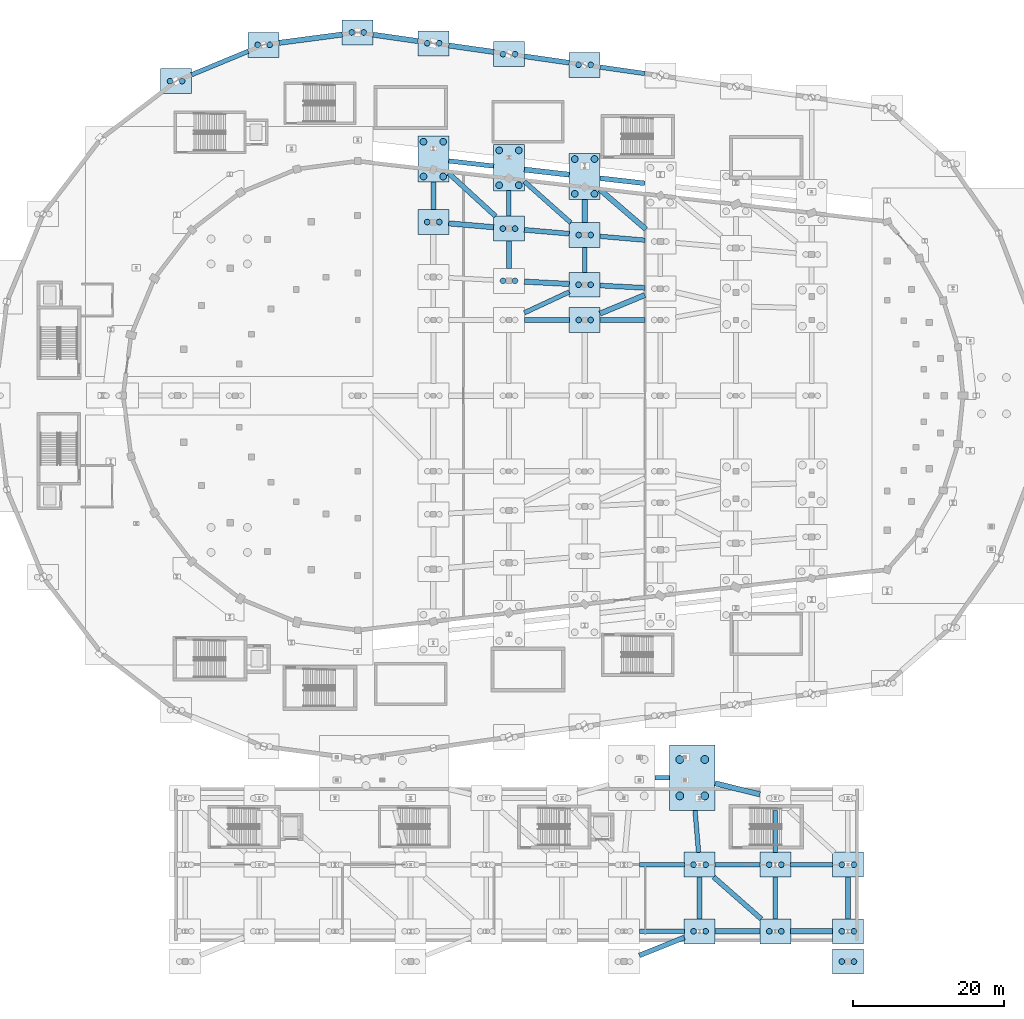
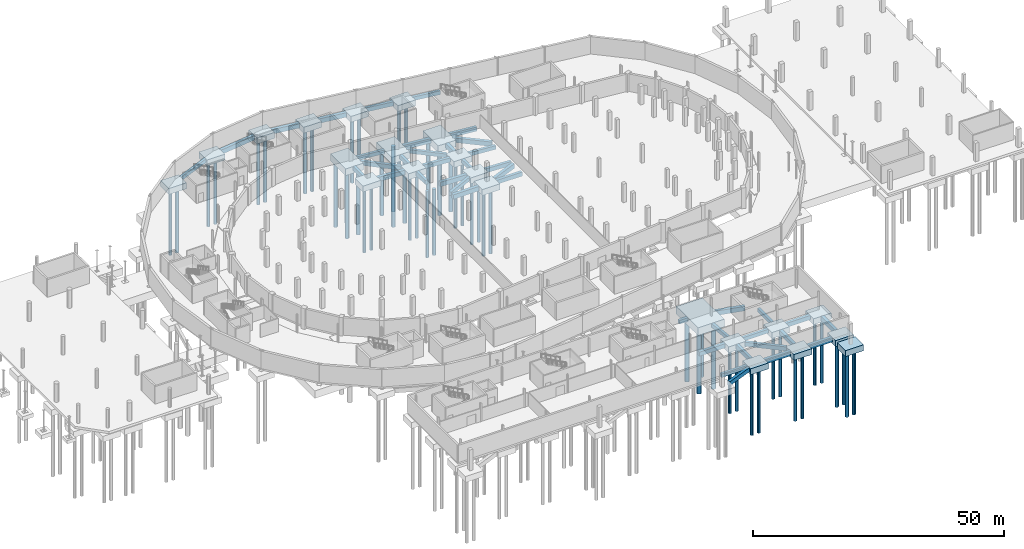
# One storey, part 4 of 55: 63 footings, 54 piles.
"""IFC4 building model written with IfcOpenShell, lengths in metres."""

from ifc_helpers import new_model, si_unit, direction, frame, origin, origin_2d, place, context, subcontext, project, spatial, rectangle, circle, extrude, material, material_profile, profile_set, type_object, element, save


model = new_model("IFC4")

# Units and contexts
model_context = context("Model", 3, precision=1e-05, world=origin(), true_north=direction((0.0, 1.0)))
body_context = subcontext(model_context, "Body", "Model", "MODEL_VIEW")
ifc_project = project(units=[si_unit("LENGTHUNIT", "METRE"), si_unit("AREAUNIT", "SQUARE_METRE"), si_unit("VOLUMEUNIT", "CUBIC_METRE"), si_unit("PLANEANGLEUNIT", "RADIAN"), si_unit("MASSUNIT", "GRAM", prefix="KILO")], contexts=[model_context])

# Site, building, storey
site_placement = place(None, origin())
site = spatial("IfcSite", under=ifc_project, at=site_placement, CompositionType="ELEMENT")
building_placement = place(site_placement, origin())
building = spatial("IfcBuilding", under=site, at=building_placement, Name="Sohan Crest Arena", CompositionType="ELEMENT")
storey_placement = place(building_placement, frame((0.0, 0.0, -4.5)))
storey = spatial("IfcBuildingStorey", under=building, at=storey_placement, Name="B1", CompositionType="ELEMENT", Elevation=-4.5)

# Footings
ifc_material = material(Name="Concrete C40/50", Category="concrete")
ifc_material_profile_1 = material_profile(ifc_material, rectangle(XDim=0.60009765625, YDim=0.89990234375, at=origin_2d()), Name="RC-FB 600x900")
ifc_profile_set_1 = profile_set([ifc_material_profile_1], Name="Concrete C40/50")
footing_type_1 = type_object("IfcFootingType", Name="FND-FB01", PredefinedType="FOOTING_BEAM", material=ifc_profile_set_1)
footing_1_placement = place(storey_placement, frame((76.030029296875, 120.409912109375, -1.0), z_axis=(0.92390749093, 0.382615927796, 0.0), x_axis=(-0.382615927796, 0.92390749093, 0.0)))
element("IfcFooting", 1, at=footing_1_placement, inside=storey, type_object=footing_type_1, Name="Continuous RC footing tie beam FB-036", PredefinedType="FOOTING_BEAM", context=body_context, shape_type="SweptSolid", body=[
    extrude(rectangle(XDim=0.60009765625, YDim=0.89990234375, at=origin_2d()), origin(), (0.0, 0.0, 1.0), 8.13623046875),
])
footing_2_placement = place(storey_placement, frame((110.030029296875, 109.02490234375, -1.0), z_axis=(0.993530698181, -0.113563866488, 0.0), x_axis=(0.113563866488, 0.993530698181, 0.0)))
element("IfcFooting", 2, at=footing_2_placement, inside=storey, type_object=footing_type_1, Name="Continuous RC footing tie beam FB-081", PredefinedType="FOOTING_BEAM", context=body_context, shape_type="SweptSolid", body=[
    extrude(rectangle(XDim=0.60009765625, YDim=0.89990234375, at=origin_2d()), origin(), (0.0, 0.0, 1.0), 5.978515625),
])
footing_3_placement = place(storey_placement, frame((120.030029296875, 88.945068359375, -1.0), z_axis=(0.906482742489, 0.422242865624, 0.0), x_axis=(-0.422242865624, 0.906482742489, 0.0)))
element("IfcFooting", 3, at=footing_3_placement, inside=storey, type_object=footing_type_1, Name="Continuous RC footing tie beam FB-102", PredefinedType="FOOTING_BEAM", context=body_context, shape_type="SweptSolid", body=[
    extrude(rectangle(XDim=0.60009765625, YDim=0.89990234375, at=origin_2d()), origin(), (0.0, 0.0, 1.0), 6.552734375),
])
footing_4_placement = place(storey_placement, frame((118.0, 101.716064453125, -1.0), z_axis=(0.0, 1.0, 0.0), x_axis=(-1.0, 0.0, 0.0)))
element("IfcFooting", 4, at=footing_4_placement, inside=storey, type_object=footing_type_1, Name="Continuous RC footing tie beam FB-105", PredefinedType="FOOTING_BEAM", context=body_context, shape_type="SweptSolid", body=[
    extrude(rectangle(XDim=0.60009765625, YDim=0.89990234375, at=origin_2d()), origin(), (0.0, 0.0, 1.0), 3.367919921875),
])
footing_5_placement = place(storey_placement, frame((120.030029296875, 106.31005859375, -1.0), z_axis=(0.747540606151, -0.664216111033, 0.0), x_axis=(0.664216111033, 0.747540606151, 0.0)))
element("IfcFooting", 5, at=footing_5_placement, inside=storey, type_object=footing_type_1, Name="Continuous RC footing tie beam FB-108", PredefinedType="FOOTING_BEAM", context=body_context, shape_type="SweptSolid", body=[
    extrude(rectangle(XDim=0.60009765625, YDim=0.89990234375, at=origin_2d()), origin(), (0.0, 0.0, 1.0), 8.20703125),
])
footing_6_placement = place(storey_placement, frame((128.0, 94.287109375, -1.0), z_axis=(0.0, 1.0, 0.0), x_axis=(-1.0, 0.0, 0.0)))
element("IfcFooting", 6, at=footing_6_placement, inside=storey, type_object=footing_type_1, Name="Continuous RC footing tie beam FB-129", PredefinedType="FOOTING_BEAM", context=body_context, shape_type="SweptSolid", body=[
    extrude(rectangle(XDim=0.60009765625, YDim=0.89990234375, at=origin_2d()), origin(), (0.0, 0.0, 1.0), 3.31201171875),
])
footing_7_placement = place(storey_placement, frame((130.030029296875, 99.054931640625, -1.0), z_axis=(0.996334193918, -0.085546326802, 0.0), x_axis=(0.085546326802, 0.996334193918, 0.0)))
element("IfcFooting", 7, at=footing_7_placement, inside=storey, type_object=footing_type_1, Name="Continuous RC footing tie beam FB-132", PredefinedType="FOOTING_BEAM", context=body_context, shape_type="SweptSolid", body=[
    extrude(rectangle(XDim=0.60009765625, YDim=0.89990234375, at=origin_2d()), origin(), (0.0, 0.0, 1.0), 5.9619140625),
])
footing_8_placement = place(storey_placement, frame((130.030029296875, 121.424072265625, -1.0), z_axis=(0.989959256621, -0.141352998664, 0.0), x_axis=(0.141352998664, 0.989959256621, 0.0)))
element("IfcFooting", 8, at=footing_8_placement, inside=storey, type_object=footing_type_1, Name="Continuous RC footing tie beam FB-135", PredefinedType="FOOTING_BEAM", context=body_context, shape_type="SweptSolid", body=[
    extrude(rectangle(XDim=0.60009765625, YDim=0.89990234375, at=origin_2d()), origin(), (0.0, 0.0, 1.0), 6.000244140625),
])
footing_9_placement = place(storey_placement, frame((135.22998046875, 7.199951171875, -1.0), z_axis=(1.0, 0.0, 0.0), x_axis=(0.0, 1.0, 0.0)))
element("IfcFooting", 9, at=footing_9_placement, inside=storey, type_object=footing_type_1, Name="Continuous RC footing tie beam FB-138", PredefinedType="FOOTING_BEAM", context=body_context, shape_type="SweptSolid", body=[
    extrude(rectangle(XDim=0.60009765625, YDim=0.89990234375, at=origin_2d()), origin(), (0.0, 0.0, 1.0), 5.93994140625),
])
footing_10_placement = place(storey_placement, frame((137.280029296875, 27.5, -1.0), z_axis=(1.0, 0.0, 0.0), x_axis=(0.0, 1.0, 0.0)))
element("IfcFooting", 10, at=footing_10_placement, inside=storey, type_object=footing_type_1, Name="Continuous RC footing tie beam FB-141", PredefinedType="FOOTING_BEAM", context=body_context, shape_type="SweptSolid", body=[
    extrude(rectangle(XDim=0.60009765625, YDim=0.89990234375, at=origin_2d()), origin(), (0.0, 0.0, 1.0), 1.93994140625),
])
footing_11_placement = place(storey_placement, frame((142.592041015625, 23.169921875, -1.0), z_axis=(0.084528054687, -0.996421099722, 0.0), x_axis=(0.996421099722, 0.084528054687, 0.0)))
element("IfcFooting", 11, at=footing_11_placement, inside=storey, type_object=footing_type_1, Name="Continuous RC footing tie beam FB-162", PredefinedType="FOOTING_BEAM", context=body_context, shape_type="SweptSolid", body=[
    extrude(rectangle(XDim=0.60009765625, YDim=0.89990234375, at=origin_2d()), origin(), (0.0, 0.0, 1.0), 5.56005859375),
])
footing_12_placement = place(storey_placement, frame((145.22998046875, 16.0, -1.0), z_axis=(1.0, 0.0, 0.0), x_axis=(0.0, 1.0, 0.0)))
element("IfcFooting", 12, at=footing_12_placement, inside=storey, type_object=footing_type_1, Name="Continuous RC footing tie beam FB-165", PredefinedType="FOOTING_BEAM", context=body_context, shape_type="SweptSolid", body=[
    extrude(rectangle(XDim=0.60009765625, YDim=0.89990234375, at=origin_2d()), origin(), (0.0, 0.0, 1.0), 5.93994140625),
])
footing_13_placement = place(storey_placement, frame((153.199951171875, 17.6298828125, -1.0), z_axis=(0.0, 1.0, 0.0), x_axis=(-1.0, 0.0, 0.0)))
element("IfcFooting", 13, at=footing_13_placement, inside=storey, type_object=footing_type_1, Name="Continuous RC footing tie beam FB-186", PredefinedType="FOOTING_BEAM", context=body_context, shape_type="SweptSolid", body=[
    extrude(rectangle(XDim=0.60009765625, YDim=0.89990234375, at=origin_2d()), origin(), (0.0, 0.0, 1.0), 5.5400390625),
])
ifc_material_profile_2 = material_profile(ifc_material, rectangle(XDim=0.64990234375, YDim=1.0, at=origin_2d()), Name="RC-FB 650x1000")
ifc_profile_set_2 = profile_set([ifc_material_profile_2], Name="Concrete C40/50")
footing_type_2 = type_object("IfcFootingType", Name="FND-FB02", PredefinedType="FOOTING_BEAM", material=ifc_profile_set_2)
footing_14_placement = place(storey_placement, frame((108.0, 102.572998046875, -1.050048828125), z_axis=(0.0, 1.0, 0.0), x_axis=(-1.0, 0.0, 0.0)))
element("IfcFooting", 14, at=footing_14_placement, inside=storey, type_object=footing_type_2, Name="Continuous RC footing tie beam FB-079", PredefinedType="FOOTING_BEAM", context=body_context, shape_type="SweptSolid", body=[
    extrude(rectangle(XDim=0.64990234375, YDim=1.0, at=origin_2d()), origin(), (0.0, 0.0, 1.0), 3.654052734375),
])
footing_15_placement = place(storey_placement, frame((110.030029296875, 107.39501953125, -1.050048828125), z_axis=(0.737026282032, -0.675864083669, 0.0), x_axis=(0.675864083669, 0.737026282032, 0.0)))
element("IfcFooting", 15, at=footing_15_placement, inside=storey, type_object=footing_type_2, Name="Continuous RC footing tie beam FB-082", PredefinedType="FOOTING_BEAM", context=body_context, shape_type="SweptSolid", body=[
    extrude(rectangle(XDim=0.64990234375, YDim=1.0, at=origin_2d()), origin(), (0.0, 0.0, 1.0), 8.402587890625),
])
footing_16_placement = place(storey_placement, frame((118.0, 94.801025390625, -1.050048828125), z_axis=(0.0, 1.0, 0.0), x_axis=(-1.0, 0.0, 0.0)))
element("IfcFooting", 16, at=footing_16_placement, inside=storey, type_object=footing_type_2, Name="Continuous RC footing tie beam FB-103", PredefinedType="FOOTING_BEAM", context=body_context, shape_type="SweptSolid", body=[
    extrude(rectangle(XDim=0.64990234375, YDim=1.0, at=origin_2d()), origin(), (0.0, 0.0, 1.0), 3.655029296875),
])
footing_17_placement = place(storey_placement, frame((120.030029296875, 99.912109375, -1.050048828125), z_axis=(0.996348142256, -0.085383718726, 0.0), x_axis=(0.085383718726, 0.996348142256, 0.0)))
element("IfcFooting", 17, at=footing_17_placement, inside=storey, type_object=footing_type_2, Name="Continuous RC footing tie beam FB-106", PredefinedType="FOOTING_BEAM", context=body_context, shape_type="SweptSolid", body=[
    extrude(rectangle(XDim=0.64990234375, YDim=1.0, at=origin_2d()), origin(), (0.0, 0.0, 1.0), 5.961669921875),
])
footing_18_placement = place(storey_placement, frame((120.030029296875, 122.85302734375, -1.050048828125), z_axis=(0.989936469339, -0.141512496521, 0.0), x_axis=(0.141512496521, 0.989936469339, 0.0)))
element("IfcFooting", 18, at=footing_18_placement, inside=storey, type_object=footing_type_2, Name="Continuous RC footing tie beam FB-109", PredefinedType="FOOTING_BEAM", context=body_context, shape_type="SweptSolid", body=[
    extrude(rectangle(XDim=0.64990234375, YDim=1.0, at=origin_2d()), origin(), (0.0, 0.0, 1.0), 6.000244140625),
])
footing_19_placement = place(storey_placement, frame((130.030029296875, 88.0, -1.050048828125), z_axis=(1.0, 0.0, 0.0), x_axis=(0.0, 1.0, 0.0)))
element("IfcFooting", 19, at=footing_19_placement, inside=storey, type_object=footing_type_2, Name="Continuous RC footing tie beam FB-127", PredefinedType="FOOTING_BEAM", context=body_context, shape_type="SweptSolid", body=[
    extrude(rectangle(XDim=0.64990234375, YDim=1.0, at=origin_2d()), origin(), (0.0, 0.0, 1.0), 5.93994140625),
])
footing_20_placement = place(storey_placement, frame((130.030029296875, 92.552978515625, -1.050048828125), z_axis=(0.998676496553, -0.051432044808, 0.0), x_axis=(0.051432044808, 0.998676496553, 0.0)))
element("IfcFooting", 20, at=footing_20_placement, inside=storey, type_object=footing_type_2, Name="Continuous RC footing tie beam FB-130", PredefinedType="FOOTING_BEAM", context=body_context, shape_type="SweptSolid", body=[
    extrude(rectangle(XDim=0.64990234375, YDim=1.0, at=origin_2d()), origin(), (0.0, 0.0, 1.0), 5.94775390625),
])
footing_21_placement = place(storey_placement, frame((130.030029296875, 106.739013671875, -1.050048828125), z_axis=(0.99354911524, -0.1134026261, 0.0), x_axis=(0.1134026261, 0.99354911524, 0.0)))
element("IfcFooting", 21, at=footing_21_placement, inside=storey, type_object=footing_type_2, Name="Continuous RC footing tie beam FB-133", PredefinedType="FOOTING_BEAM", context=body_context, shape_type="SweptSolid", body=[
    extrude(rectangle(XDim=0.64990234375, YDim=1.0, at=origin_2d()), origin(), (0.0, 0.0, 1.0), 5.978515625),
])
footing_22_placement = place(storey_placement, frame((135.22998046875, 4.011962890625, -1.050048828125), z_axis=(0.928476690885, 0.371390676354, 0.0), x_axis=(-0.371390676354, 0.928476690885, 0.0)))
element("IfcFooting", 22, at=footing_22_placement, inside=storey, type_object=footing_type_2, Name="Continuous RC footing tie beam FB-136", PredefinedType="FOOTING_BEAM", context=body_context, shape_type="SweptSolid", body=[
    extrude(rectangle(XDim=0.64990234375, YDim=1.0, at=origin_2d()), origin(), (0.0, 0.0, 1.0), 6.3974609375),
])
footing_23_placement = place(storey_placement, frame((135.22998046875, 16.0, -1.050048828125), z_axis=(1.0, 0.0, 0.0), x_axis=(0.0, 1.0, 0.0)))
element("IfcFooting", 23, at=footing_23_placement, inside=storey, type_object=footing_type_2, Name="Continuous RC footing tie beam FB-139", PredefinedType="FOOTING_BEAM", context=body_context, shape_type="SweptSolid", body=[
    extrude(rectangle(XDim=0.64990234375, YDim=1.0, at=origin_2d()), origin(), (0.0, 0.0, 1.0), 5.93994140625),
])
footing_24_placement = place(storey_placement, frame((143.199951171875, 8.830078125, -1.050048828125), z_axis=(0.0, 1.0, 0.0), x_axis=(-1.0, 0.0, 0.0)))
element("IfcFooting", 24, at=footing_24_placement, inside=storey, type_object=footing_type_2, Name="Continuous RC footing tie beam FB-163", PredefinedType="FOOTING_BEAM", context=body_context, shape_type="SweptSolid", body=[
    extrude(rectangle(XDim=0.64990234375, YDim=1.0, at=origin_2d()), origin(), (0.0, 0.0, 1.0), 5.5400390625),
])
footing_25_placement = place(storey_placement, frame((145.052001953125, 14.3701171875, -1.050048828125), z_axis=(0.750734306922, -0.660604269143, 0.0), x_axis=(0.660604269143, 0.750734306922, 0.0)))
element("IfcFooting", 25, at=footing_25_placement, inside=storey, type_object=footing_type_2, Name="Continuous RC footing tie beam FB-166", PredefinedType="FOOTING_BEAM", context=body_context, shape_type="SweptSolid", body=[
    extrude(rectangle(XDim=0.64990234375, YDim=1.0, at=origin_2d()), origin(), (0.0, 0.0, 1.0), 8.38623046875),
])
for number, where, z_axis, x_axis, name in (
    (26, (153.199951171875, 8.830078125, -1.050048828125), (0.0, 1.0, 0.0), (-1.0, 0.0, 0.0), "Continuous RC footing tie beam FB-184"),
    (27, (155.22998046875, 16.0, -1.050048828125), (1.0, 0.0, 0.0), (0.0, 1.0, 0.0), "Continuous RC footing tie beam FB-187"),
):
    element("IfcFooting", number, at=place(storey_placement, frame(where, z_axis=z_axis, x_axis=x_axis)), inside=storey, type_object=footing_type_2, Name=name, PredefinedType="FOOTING_BEAM", context=body_context, shape_type="SweptSolid", body=[
        extrude(rectangle(XDim=0.64990234375, YDim=1.0, at=origin_2d()), origin(), (0.0, 0.0, 1.0), 5.5400390625),
    ])
ifc_material_profile_3 = material_profile(ifc_material, rectangle(XDim=0.699951171875, YDim=1.10009765625, at=origin_2d()), Name="RC-FB 700x1100")
ifc_profile_set_3 = profile_set([ifc_material_profile_3], Name="Concrete C40/50")
footing_type_3 = type_object("IfcFootingType", Name="FND-FB03", PredefinedType="FOOTING_BEAM", material=ifc_profile_set_3)
footing_26_placement = place(storey_placement, frame((87.60693359375, 124.631103515625, -1.10009765625), z_axis=(0.991432707939, 0.130618473535, 0.0), x_axis=(-0.130618473535, 0.991432707939, 0.0)))
element("IfcFooting", 28, at=footing_26_placement, inside=storey, type_object=footing_type_3, Name="Continuous RC footing tie beam FB-050", PredefinedType="FOOTING_BEAM", context=body_context, shape_type="SweptSolid", body=[
    extrude(rectangle(XDim=0.699951171875, YDim=1.10009765625, at=origin_2d()), origin(), (0.0, 0.0, 1.0), 8.435302734375),
])
footing_27_placement = place(storey_placement, frame((100.030029296875, 125.7099609375, -1.10009765625), z_axis=(0.989942168471, -0.14147262309, 0.0), x_axis=(0.14147262309, 0.989942168471, 0.0)))
element("IfcFooting", 29, at=footing_27_placement, inside=storey, type_object=footing_type_3, Name="Continuous RC footing tie beam FB-059", PredefinedType="FOOTING_BEAM", context=body_context, shape_type="SweptSolid", body=[
    extrude(rectangle(XDim=0.699951171875, YDim=1.10009765625, at=origin_2d()), origin(), (0.0, 0.0, 1.0), 6.000244140625),
])
footing_28_placement = place(storey_placement, frame((110.030029296875, 100.76904296875, -1.10009765625), z_axis=(0.996348142256, -0.085383718726, 0.0), x_axis=(0.085383718726, 0.996348142256, 0.0)))
element("IfcFooting", 30, at=footing_28_placement, inside=storey, type_object=footing_type_3, Name="Continuous RC footing tie beam FB-080", PredefinedType="FOOTING_BEAM", context=body_context, shape_type="SweptSolid", body=[
    extrude(rectangle(XDim=0.699951171875, YDim=1.10009765625, at=origin_2d()), origin(), (0.0, 0.0, 1.0), 5.961669921875),
])
footing_29_placement = place(storey_placement, frame((110.030029296875, 124.281005859375, -1.10009765625), z_axis=(0.989964949589, -0.141313122479, 0.0), x_axis=(0.141313122479, 0.989964949589, 0.0)))
element("IfcFooting", 31, at=footing_29_placement, inside=storey, type_object=footing_type_3, Name="Continuous RC footing tie beam FB-083", PredefinedType="FOOTING_BEAM", context=body_context, shape_type="SweptSolid", body=[
    extrude(rectangle(XDim=0.699951171875, YDim=1.10009765625, at=origin_2d()), origin(), (0.0, 0.0, 1.0), 6.000244140625),
])
footing_30_placement = place(storey_placement, frame((120.030029296875, 88.0, -1.10009765625), z_axis=(1.0, 0.0, 0.0), x_axis=(0.0, 1.0, 0.0)))
element("IfcFooting", 32, at=footing_30_placement, inside=storey, type_object=footing_type_3, Name="Continuous RC footing tie beam FB-101", PredefinedType="FOOTING_BEAM", context=body_context, shape_type="SweptSolid", body=[
    extrude(rectangle(XDim=0.699951171875, YDim=1.10009765625, at=origin_2d()), origin(), (0.0, 0.0, 1.0), 5.93994140625),
])
footing_31_placement = place(storey_placement, frame((120.030029296875, 93.06689453125, -1.10009765625), z_axis=(0.998676496553, -0.051432044808, 0.0), x_axis=(0.051432044808, 0.998676496553, 0.0)))
element("IfcFooting", 33, at=footing_31_placement, inside=storey, type_object=footing_type_3, Name="Continuous RC footing tie beam FB-104", PredefinedType="FOOTING_BEAM", context=body_context, shape_type="SweptSolid", body=[
    extrude(rectangle(XDim=0.699951171875, YDim=1.10009765625, at=origin_2d()), origin(), (0.0, 0.0, 1.0), 5.94775390625),
])
footing_32_placement = place(storey_placement, frame((120.030029296875, 107.882080078125, -1.10009765625), z_axis=(0.993526089935, -0.113604175183, 0.0), x_axis=(0.113604175183, 0.993526089935, 0.0)))
element("IfcFooting", 34, at=footing_32_placement, inside=storey, type_object=footing_type_3, Name="Continuous RC footing tie beam FB-107", PredefinedType="FOOTING_BEAM", context=body_context, shape_type="SweptSolid", body=[
    extrude(rectangle(XDim=0.699951171875, YDim=1.10009765625, at=origin_2d()), origin(), (0.0, 0.0, 1.0), 5.978759765625),
])
footing_33_placement = place(storey_placement, frame((130.030029296875, 88.841064453125, -1.10009765625), z_axis=(0.92385020922, 0.382754217383, 0.0), x_axis=(-0.382754217383, 0.92385020922, 0.0)))
element("IfcFooting", 35, at=footing_33_placement, inside=storey, type_object=footing_type_3, Name="Continuous RC footing tie beam FB-128", PredefinedType="FOOTING_BEAM", context=body_context, shape_type="SweptSolid", body=[
    extrude(rectangle(XDim=0.699951171875, YDim=1.10009765625, at=origin_2d()), origin(), (0.0, 0.0, 1.0), 6.429443359375),
])
footing_34_placement = place(storey_placement, frame((128.0, 100.85888671875, -1.10009765625), z_axis=(0.0, 1.0, 0.0), x_axis=(-1.0, 0.0, 0.0)))
element("IfcFooting", 36, at=footing_34_placement, inside=storey, type_object=footing_type_3, Name="Continuous RC footing tie beam FB-131", PredefinedType="FOOTING_BEAM", context=body_context, shape_type="SweptSolid", body=[
    extrude(rectangle(XDim=0.699951171875, YDim=1.10009765625, at=origin_2d()), origin(), (0.0, 0.0, 1.0), 3.08203125),
])
footing_35_placement = place(storey_placement, frame((130.030029296875, 105.22509765625, -1.10009765625), z_axis=(0.758205983922, -0.652015096409, 0.0), x_axis=(0.652015096409, 0.758205983922, 0.0)))
element("IfcFooting", 37, at=footing_35_placement, inside=storey, type_object=footing_type_3, Name="Continuous RC footing tie beam FB-134", PredefinedType="FOOTING_BEAM", context=body_context, shape_type="SweptSolid", body=[
    extrude(rectangle(XDim=0.699951171875, YDim=1.10009765625, at=origin_2d()), origin(), (0.0, 0.0, 1.0), 8.01220703125),
])
footing_36_placement = place(storey_placement, frame((145.22998046875, 26.760986328125, -1.10009765625), z_axis=(0.971023428663, -0.238984311173, 0.0), x_axis=(0.238984311173, 0.971023428663, 0.0)))
element("IfcFooting", 38, at=footing_36_placement, inside=storey, type_object=footing_type_3, Name="Continuous RC footing tie beam FB-161", PredefinedType="FOOTING_BEAM", context=body_context, shape_type="SweptSolid", body=[
    extrude(rectangle(XDim=0.699951171875, YDim=1.10009765625, at=origin_2d()), origin(), (0.0, 0.0, 1.0), 6.1171875),
])
footing_37_placement = place(storey_placement, frame((145.22998046875, 7.199951171875, -1.10009765625), z_axis=(1.0, 0.0, 0.0), x_axis=(0.0, 1.0, 0.0)))
element("IfcFooting", 39, at=footing_37_placement, inside=storey, type_object=footing_type_3, Name="Continuous RC footing tie beam FB-164", PredefinedType="FOOTING_BEAM", context=body_context, shape_type="SweptSolid", body=[
    extrude(rectangle(XDim=0.699951171875, YDim=1.10009765625, at=origin_2d()), origin(), (0.0, 0.0, 1.0), 5.93994140625),
])
for number, where, z_axis, x_axis, name in (
    (40, (155.22998046875, 7.199951171875, -1.10009765625), (1.0, 0.0, 0.0), (0.0, 1.0, 0.0), "Continuous RC footing tie beam FB-185"),
    (41, (162.800048828125, 8.830078125, -1.10009765625), (0.0, 1.0, 0.0), (-1.0, 0.0, 0.0), "Continuous RC footing tie beam FB-200"),
):
    element("IfcFooting", number, at=place(storey_placement, frame(where, z_axis=z_axis, x_axis=x_axis)), inside=storey, type_object=footing_type_3, Name=name, PredefinedType="FOOTING_BEAM", context=body_context, shape_type="SweptSolid", body=[
        extrude(rectangle(XDim=0.699951171875, YDim=1.10009765625, at=origin_2d()), origin(), (0.0, 0.0, 1.0), 5.5400390625),
    ])

# Piles
ifc_material_profile_4 = material_profile(ifc_material, circle(Radius=0.449951171875, at=origin_2d()), Name="PILE D900")
ifc_profile_set_4 = profile_set([ifc_material_profile_4], Name="Concrete C40/50")
pile_type_1 = type_object("IfcPileType", Name="FND-P01", PredefinedType="BORED", material=ifc_profile_set_4)
for number, where, z_axis, x_axis, name in (
    (42, (109.300048828125, 106.95703125, -18.0), (0.0, 0.0, 1.0), (1.0, 0.0, 0.0), "Bored Concrete C40/50 pile P-060-1"),
    (43, (109.300048828125, 111.556884765625, -18.0), (0.0, 0.0, 1.0), (1.0, 0.0, 0.0), "Bored Concrete C40/50 pile P-060-2"),
    (44, (106.699951171875, 106.95703125, -18.0), (0.0, 0.0, 1.0), (1.0, 0.0, 0.0), "Bored Concrete C40/50 pile P-060-3"),
    (45, (106.699951171875, 111.556884765625, -18.0), (0.0, 0.0, 1.0), (1.0, 0.0, 0.0), "Bored Concrete C40/50 pile P-060-4"),
    (46, (119.300048828125, 105.81396484375, -18.0), (0.0, 0.0, 1.0), (1.0, 0.0, 0.0), "Bored Concrete C40/50 pile P-074-1"),
    (47, (119.300048828125, 110.4140625, -18.0), (0.0, 0.0, 1.0), (1.0, 0.0, 0.0), "Bored Concrete C40/50 pile P-074-2"),
    (48, (116.699951171875, 105.81396484375, -18.0), (0.0, 0.0, 1.0), (1.0, 0.0, 0.0), "Bored Concrete C40/50 pile P-074-3"),
    (49, (116.699951171875, 110.4140625, -18.0), (0.0, 0.0, 1.0), (1.0, 0.0, 0.0), "Bored Concrete C40/50 pile P-074-4"),
    (50, (129.300048828125, 104.6708984375, -18.0), (0.0, 0.0, 1.0), (1.0, 0.0, 0.0), "Bored Concrete C40/50 pile P-088-1"),
    (51, (129.300048828125, 109.27099609375, -18.0), (0.0, 0.0, 1.0), (1.0, 0.0, 0.0), "Bored Concrete C40/50 pile P-088-2"),
    (52, (126.699951171875, 104.6708984375, -18.0), (0.0, 0.0, 1.0), (1.0, 0.0, 0.0), "Bored Concrete C40/50 pile P-088-3"),
    (53, (126.699951171875, 109.27099609375, -18.0), (0.0, 0.0, 1.0), (1.0, 0.0, 0.0), "Bored Concrete C40/50 pile P-088-4"),
):
    element("IfcPile", number, at=place(storey_placement, frame(where, z_axis=z_axis, x_axis=x_axis)), inside=storey, type_object=pile_type_1, Name=name, PredefinedType="BORED", context=body_context, shape_type="SweptSolid", body=[
        extrude(circle(Radius=0.449951171875, at=origin_2d()), origin(), (0.0, 0.0, 1.0), 15.919921875),
    ])
ifc_material_profile_5 = material_profile(ifc_material, circle(Radius=0.52490234375, at=origin_2d()), Name="PILE D1050")
ifc_profile_set_5 = profile_set([ifc_material_profile_5], Name="Concrete C40/50")
pile_type_2 = type_object("IfcPileType", Name="FND-P02", PredefinedType="BORED", material=ifc_profile_set_5)
for number, where, z_axis, x_axis, name in (
    (54, (143.875, 25.10009765625, -18.0), (0.0, 0.0, 1.0), (1.0, 0.0, 0.0), "Bored Concrete C40/50 pile P-105-1"),
    (55, (143.875, 29.89990234375, -18.0), (0.0, 0.0, 1.0), (1.0, 0.0, 0.0), "Bored Concrete C40/50 pile P-105-2"),
    (56, (140.574951171875, 25.10009765625, -18.0), (0.0, 0.0, 1.0), (1.0, 0.0, 0.0), "Bored Concrete C40/50 pile P-105-3"),
    (57, (140.574951171875, 29.89990234375, -18.0), (0.0, 0.0, 1.0), (1.0, 0.0, 0.0), "Bored Concrete C40/50 pile P-105-4"),
):
    element("IfcPile", number, at=place(storey_placement, frame(where, z_axis=z_axis, x_axis=x_axis)), inside=storey, type_object=pile_type_2, Name=name, PredefinedType="BORED", context=body_context, shape_type="SweptSolid", body=[
        extrude(circle(Radius=0.52490234375, at=origin_2d()), origin(), (0.0, 0.0, 1.0), 15.719970703125),
    ])
ifc_material_profile_6 = material_profile(ifc_material, circle(Radius=0.375, at=origin_2d()), Name="PILE D750")
ifc_profile_set_6 = profile_set([ifc_material_profile_6], Name="Concrete C40/50")
pile_type_3 = type_object("IfcPileType", Name="FND-P03", PredefinedType="BORED", material=ifc_profile_set_6)
for number, where, z_axis, x_axis, name in (
    (58, (73.199951171875, 119.569091796875, -18.0), (0.0, 0.0, 1.0), (1.0, 0.0, 0.0), "Bored Concrete C40/50 pile P-032-1"),
    (59, (74.800048828125, 119.569091796875, -18.0), (0.0, 0.0, 1.0), (1.0, 0.0, 0.0), "Bored Concrete C40/50 pile P-032-2"),
    (60, (84.777099609375, 124.364013671875, -18.0), (0.0, 0.0, 1.0), (1.0, 0.0, 0.0), "Bored Concrete C40/50 pile P-043-1"),
    (61, (86.376953125, 124.364013671875, -18.0), (0.0, 0.0, 1.0), (1.0, 0.0, 0.0), "Bored Concrete C40/50 pile P-043-2"),
    (62, (97.199951171875, 126.0, -18.0), (0.0, 0.0, 1.0), (1.0, 0.0, 0.0), "Bored Concrete C40/50 pile P-048-1"),
    (63, (98.800048828125, 126.0, -18.0), (0.0, 0.0, 1.0), (1.0, 0.0, 0.0), "Bored Concrete C40/50 pile P-048-2"),
    (64, (107.199951171875, 100.943115234375, -18.0), (0.0, 0.0, 1.0), (1.0, 0.0, 0.0), "Bored Concrete C40/50 pile P-059-1"),
    (65, (108.800048828125, 100.943115234375, -18.0), (0.0, 0.0, 1.0), (1.0, 0.0, 0.0), "Bored Concrete C40/50 pile P-059-2"),
    (66, (107.199951171875, 124.571044921875, -18.0), (0.0, 0.0, 1.0), (1.0, 0.0, 0.0), "Bored Concrete C40/50 pile P-061-1"),
    (67, (108.800048828125, 124.571044921875, -18.0), (0.0, 0.0, 1.0), (1.0, 0.0, 0.0), "Bored Concrete C40/50 pile P-061-2"),
    (68, (117.199951171875, 93.1708984375, -18.0), (0.0, 0.0, 1.0), (1.0, 0.0, 0.0), "Bored Concrete C40/50 pile P-072-1"),
    (69, (118.800048828125, 93.1708984375, -18.0), (0.0, 0.0, 1.0), (1.0, 0.0, 0.0), "Bored Concrete C40/50 pile P-072-2"),
    (70, (117.199951171875, 100.0859375, -18.0), (0.0, 0.0, 1.0), (1.0, 0.0, 0.0), "Bored Concrete C40/50 pile P-073-1"),
    (71, (118.800048828125, 100.0859375, -18.0), (0.0, 0.0, 1.0), (1.0, 0.0, 0.0), "Bored Concrete C40/50 pile P-073-2"),
    (72, (117.199951171875, 123.14306640625, -18.0), (0.0, 0.0, 1.0), (1.0, 0.0, 0.0), "Bored Concrete C40/50 pile P-075-1"),
    (73, (118.800048828125, 123.14306640625, -18.0), (0.0, 0.0, 1.0), (1.0, 0.0, 0.0), "Bored Concrete C40/50 pile P-075-2"),
    (74, (127.199951171875, 88.0, -18.0), (0.0, 0.0, 1.0), (1.0, 0.0, 0.0), "Bored Concrete C40/50 pile P-085-1"),
    (75, (128.800048828125, 88.0, -18.0), (0.0, 0.0, 1.0), (1.0, 0.0, 0.0), "Bored Concrete C40/50 pile P-085-2"),
    (76, (127.199951171875, 92.656982421875, -18.0), (0.0, 0.0, 1.0), (1.0, 0.0, 0.0), "Bored Concrete C40/50 pile P-086-1"),
    (77, (128.800048828125, 92.656982421875, -18.0), (0.0, 0.0, 1.0), (1.0, 0.0, 0.0), "Bored Concrete C40/50 pile P-086-2"),
    (78, (127.199951171875, 99.22900390625, -18.0), (0.0, 0.0, 1.0), (1.0, 0.0, 0.0), "Bored Concrete C40/50 pile P-087-1"),
    (79, (128.800048828125, 99.22900390625, -18.0), (0.0, 0.0, 1.0), (1.0, 0.0, 0.0), "Bored Concrete C40/50 pile P-087-2"),
    (80, (127.199951171875, 121.714111328125, -18.0), (0.0, 0.0, 1.0), (1.0, 0.0, 0.0), "Bored Concrete C40/50 pile P-089-1"),
    (81, (128.800048828125, 121.714111328125, -18.0), (0.0, 0.0, 1.0), (1.0, 0.0, 0.0), "Bored Concrete C40/50 pile P-089-2"),
    (82, (142.39990234375, 7.199951171875, -18.0), (0.0, 0.0, 1.0), (1.0, 0.0, 0.0), "Bored Concrete C40/50 pile P-106-1"),
    (83, (144.0, 7.199951171875, -18.0), (0.0, 0.0, 1.0), (1.0, 0.0, 0.0), "Bored Concrete C40/50 pile P-106-2"),
    (84, (142.39990234375, 16.0, -18.0), (0.0, 0.0, 1.0), (1.0, 0.0, 0.0), "Bored Concrete C40/50 pile P-107-1"),
    (85, (144.0, 16.0, -18.0), (0.0, 0.0, 1.0), (1.0, 0.0, 0.0), "Bored Concrete C40/50 pile P-107-2"),
    (86, (152.39990234375, 7.199951171875, -18.0), (0.0, 0.0, 1.0), (1.0, 0.0, 0.0), "Bored Concrete C40/50 pile P-117-1"),
    (87, (154.0, 7.199951171875, -18.0), (0.0, 0.0, 1.0), (1.0, 0.0, 0.0), "Bored Concrete C40/50 pile P-117-2"),
    (88, (152.39990234375, 16.0, -18.0), (0.0, 0.0, 1.0), (1.0, 0.0, 0.0), "Bored Concrete C40/50 pile P-118-1"),
    (89, (154.0, 16.0, -18.0), (0.0, 0.0, 1.0), (1.0, 0.0, 0.0), "Bored Concrete C40/50 pile P-118-2"),
    (90, (162.0, 3.199951171875, -18.0), (0.0, 0.0, 1.0), (1.0, 0.0, 0.0), "Bored Concrete C40/50 pile P-129-1"),
    (91, (163.60009765625, 3.199951171875, -18.0), (0.0, 0.0, 1.0), (1.0, 0.0, 0.0), "Bored Concrete C40/50 pile P-129-2"),
    (92, (162.0, 7.199951171875, -18.0), (0.0, 0.0, 1.0), (1.0, 0.0, 0.0), "Bored Concrete C40/50 pile P-130-1"),
    (93, (163.60009765625, 7.199951171875, -18.0), (0.0, 0.0, 1.0), (1.0, 0.0, 0.0), "Bored Concrete C40/50 pile P-130-2"),
    (94, (162.0, 16.0, -18.0), (0.0, 0.0, 1.0), (1.0, 0.0, 0.0), "Bored Concrete C40/50 pile P-131-1"),
    (95, (163.60009765625, 16.0, -18.0), (0.0, 0.0, 1.0), (1.0, 0.0, 0.0), "Bored Concrete C40/50 pile P-131-2"),
):
    element("IfcPile", number, at=place(storey_placement, frame(where, z_axis=z_axis, x_axis=x_axis)), inside=storey, type_object=pile_type_3, Name=name, PredefinedType="BORED", context=body_context, shape_type="SweptSolid", body=[
        extrude(circle(Radius=0.375, at=origin_2d()), origin(), (0.0, 0.0, 1.0), 16.1201171875),
    ])

# Footings
footing_type_4 = type_object("IfcFootingType", Name="FND-PC02", PredefinedType="PILE_CAP", material=ifc_material)
for number, where, z_axis, x_axis, name in (
    (96, (74.0, 119.569091796875, -2.0), (0.0, 0.0, 1.0), (1.0, 0.0, 0.0), "Reinforced concrete pile cap PC-032"),
    (97, (85.576904296875, 124.364013671875, -2.0), (0.0, 0.0, 1.0), (1.0, 0.0, 0.0), "Reinforced concrete pile cap PC-043"),
    (98, (98.0, 126.0, -2.0), (0.0, 0.0, 1.0), (1.0, 0.0, 0.0), "Reinforced concrete pile cap PC-048"),
    (99, (108.0, 100.943115234375, -2.0), (0.0, 0.0, 1.0), (1.0, 0.0, 0.0), "Reinforced concrete pile cap PC-059"),
    (100, (108.0, 124.571044921875, -2.0), (0.0, 0.0, 1.0), (1.0, 0.0, 0.0), "Reinforced concrete pile cap PC-061"),
    (101, (118.0, 100.0859375, -2.0), (0.0, 0.0, 1.0), (1.0, 0.0, 0.0), "Reinforced concrete pile cap PC-073"),
    (102, (118.0, 123.14306640625, -2.0), (0.0, 0.0, 1.0), (1.0, 0.0, 0.0), "Reinforced concrete pile cap PC-075"),
    (103, (128.0, 88.0, -2.0), (0.0, 0.0, 1.0), (1.0, 0.0, 0.0), "Reinforced concrete pile cap PC-085"),
    (104, (128.0, 92.656982421875, -2.0), (0.0, 0.0, 1.0), (1.0, 0.0, 0.0), "Reinforced concrete pile cap PC-086"),
    (105, (128.0, 99.22900390625, -2.0), (0.0, 0.0, 1.0), (1.0, 0.0, 0.0), "Reinforced concrete pile cap PC-087"),
    (106, (128.0, 121.714111328125, -2.0), (0.0, 0.0, 1.0), (1.0, 0.0, 0.0), "Reinforced concrete pile cap PC-089"),
    (107, (143.199951171875, 7.199951171875, -2.0), (0.0, 0.0, 1.0), (1.0, 0.0, 0.0), "Reinforced concrete pile cap PC-106"),
    (108, (143.199951171875, 16.0, -2.0), (0.0, 0.0, 1.0), (1.0, 0.0, 0.0), "Reinforced concrete pile cap PC-107"),
    (109, (153.199951171875, 7.199951171875, -2.0), (0.0, 0.0, 1.0), (1.0, 0.0, 0.0), "Reinforced concrete pile cap PC-117"),
    (110, (153.199951171875, 16.0, -2.0), (0.0, 0.0, 1.0), (1.0, 0.0, 0.0), "Reinforced concrete pile cap PC-118"),
    (111, (162.800048828125, 3.199951171875, -2.0), (0.0, 0.0, 1.0), (1.0, 0.0, 0.0), "Reinforced concrete pile cap PC-129"),
    (112, (162.800048828125, 7.199951171875, -2.0), (0.0, 0.0, 1.0), (1.0, 0.0, 0.0), "Reinforced concrete pile cap PC-130"),
    (113, (162.800048828125, 16.0, -2.0), (0.0, 0.0, 1.0), (1.0, 0.0, 0.0), "Reinforced concrete pile cap PC-131"),
):
    element("IfcFooting", number, at=place(storey_placement, frame(where, z_axis=z_axis, x_axis=x_axis)), inside=storey, type_object=footing_type_4, Name=name, PredefinedType="PILE_CAP", context=body_context, shape_type="SweptSolid", body=[
        extrude(rectangle(XDim=4.10009765625, YDim=3.300048828125, at=origin_2d()), origin(), (0.0, 0.0, 1.0), 1.449951171875),
    ])
footing_type_5 = type_object("IfcFootingType", Name="FND-PC06", PredefinedType="PILE_CAP", material=ifc_material)
for number, where, z_axis, x_axis, name in (
    (114, (108.0, 109.257080078125, -2.199951171875), (0.0, 0.0, 1.0), (0.0, 1.0, 0.0), "Reinforced concrete pile cap PC-060"),
    (115, (118.0, 108.114013671875, -2.199951171875), (0.0, 0.0, 1.0), (0.0, 1.0, 0.0), "Reinforced concrete pile cap PC-074"),
    (116, (128.0, 106.970947265625, -2.199951171875), (0.0, 0.0, 1.0), (0.0, 1.0, 0.0), "Reinforced concrete pile cap PC-088"),
):
    element("IfcFooting", number, at=place(storey_placement, frame(where, z_axis=z_axis, x_axis=x_axis)), inside=storey, type_object=footing_type_5, Name=name, PredefinedType="PILE_CAP", context=body_context, shape_type="SweptSolid", body=[
        extrude(rectangle(XDim=6.10009765625, YDim=4.10009765625, at=origin_2d()), origin(), (0.0, 0.0, 1.0), 1.64990234375),
    ])
footing_type_6 = type_object("IfcFootingType", Name="FND-PC10", PredefinedType="PILE_CAP", material=ifc_material)
footing_38_placement = place(storey_placement, frame((142.22509765625, 27.5, -2.400146484375), z_axis=(0.0, 0.0, 1.0), x_axis=(0.0, 1.0, 0.0)))
element("IfcFooting", 117, at=footing_38_placement, inside=storey, type_object=footing_type_6, Name="Reinforced concrete pile cap PC-105", PredefinedType="PILE_CAP", context=body_context, shape_type="SweptSolid", body=[
    extrude(rectangle(XDim=8.699951171875, YDim=6.050048828125, at=origin_2d()), origin(), (0.0, 0.0, 1.0), 1.85009765625),
])

save(model, "model.ifc")
